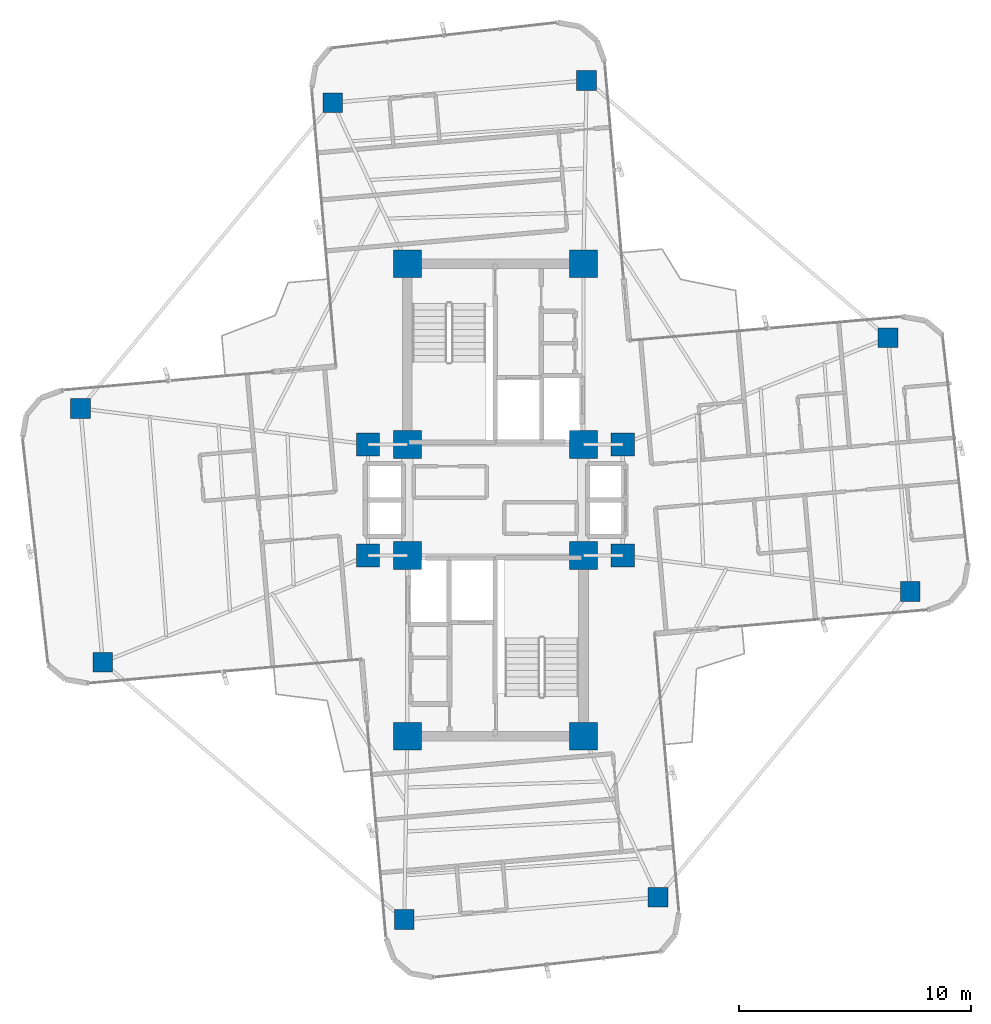
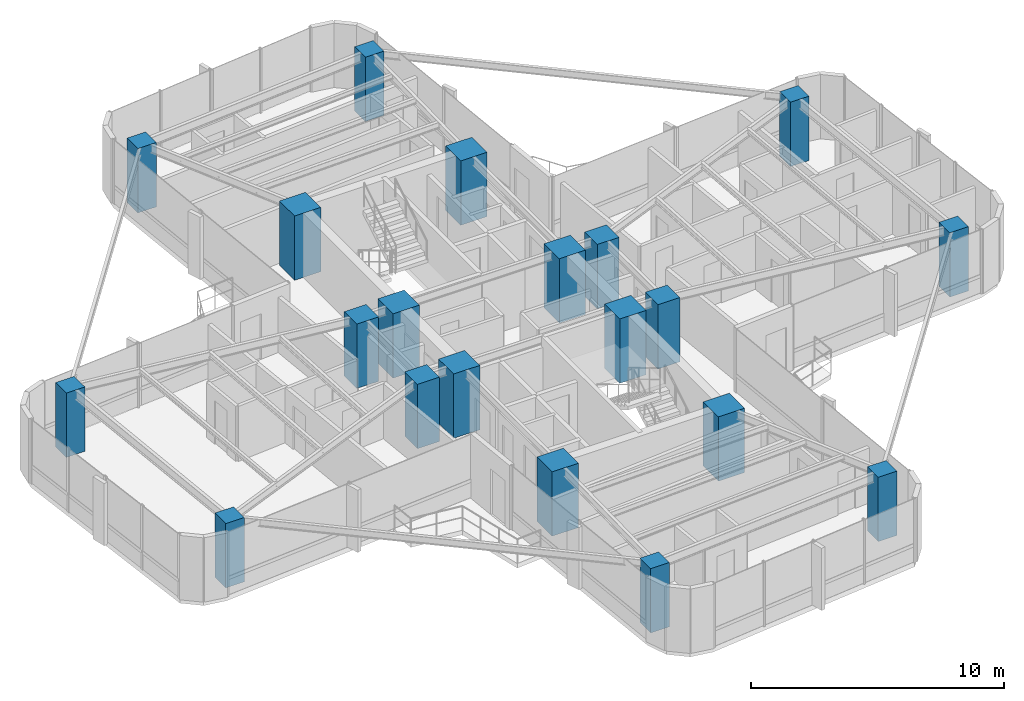
# One storey, part 1 of 24: 20 columns.
"""IFC4 building model written with IfcOpenShell, lengths in metres."""

from ifc_helpers import new_model, si_unit, direction, frame, origin, origin_2d, place, context, subcontext, project, spatial, rectangle, extrude, source, transform, mapped, material, material_profile, profile_set, type_object, element, save


model = new_model("IFC4")

# Units and contexts
model_context = context("Model", 3, precision=1e-05, world=origin(), true_north=direction((0.0, 1.0)))
body_context = subcontext(model_context, "Body", "Model", "MODEL_VIEW")
ifc_project = project(units=[si_unit("LENGTHUNIT", "METRE"), si_unit("AREAUNIT", "SQUARE_METRE"), si_unit("VOLUMEUNIT", "CUBIC_METRE"), si_unit("PLANEANGLEUNIT", "RADIAN"), si_unit("MASSUNIT", "GRAM", prefix="KILO")], contexts=[model_context])

# Site, building, storey
site_placement = place(None, origin())
site = spatial("IfcSite", under=ifc_project, at=site_placement, CompositionType="ELEMENT")
building_placement = place(site_placement, origin())
building = spatial("IfcBuilding", under=site, at=building_placement, Name="Sahyath Konkavel Grand Hotel", CompositionType="ELEMENT")
storey_placement = place(building_placement, frame((0.0, 0.0, 191.949951171875)))
storey = spatial("IfcBuildingStorey", under=building, at=storey_placement, Name="L53", CompositionType="ELEMENT", Elevation=191.949951171875)

# Columns
ifc_material_1 = material(Name="Concrete C50/60", Category="concrete")
ifc_material_profile_1 = material_profile(ifc_material_1, rectangle(XDim=1.199951171875, YDim=1.199951171875, at=origin_2d()), Name="RC 1200x1200")
ifc_profile_set_1 = profile_set([ifc_material_profile_1], Name="Concrete C50/60")
column_type_1 = type_object("IfcColumnType", Name="COL-RC1200", PredefinedType="COLUMN", material=ifc_profile_set_1)
shared_shape_1 = source(origin(), body_context, "Body", "SweptSolid", [
    extrude(rectangle(XDim=1.199951171875, YDim=1.199951171875, at=origin_2d()), origin(), (0.0, 0.0, 1.0), 3.110107421875),
])
for number, where, z_axis, x_axis, name in (
    (1, (-3.800048828125, 2.39990234375, 0.0), (0.0, 0.0, 1.0), (1.0, 0.0, 0.0), "L53 Core Boundary Column NC-SW"),
    (2, (3.800048828125, 2.39990234375, 0.0), (0.0, 0.0, 1.0), (1.0, 0.0, 0.0), "L53 Core Boundary Column NC-SE"),
    (3, (-3.800048828125, 10.199951171875, 0.0), (0.0, 0.0, 1.0), (1.0, 0.0, 0.0), "L53 Core Boundary Column NC-NW"),
    (4, (3.800048828125, 10.199951171875, 0.0), (0.0, 0.0, 1.0), (1.0, 0.0, 0.0), "L53 Core Boundary Column NC-NE"),
    (5, (-3.800048828125, -2.39990234375, 0.0), (0.0, 0.0, 1.0), (1.0, 0.0, 0.0), "L53 Core Boundary Column SC-NW"),
    (6, (3.800048828125, -2.39990234375, 0.0), (0.0, 0.0, 1.0), (1.0, 0.0, 0.0), "L53 Core Boundary Column SC-NE"),
    (7, (-3.800048828125, -10.199951171875, 0.0), (0.0, 0.0, 1.0), (1.0, 0.0, 0.0), "L53 Core Boundary Column SC-SW"),
    (8, (3.800048828125, -10.199951171875, 0.0), (0.0, 0.0, 1.0), (1.0, 0.0, 0.0), "L53 Core Boundary Column SC-SE"),
):
    element("IfcColumn", number, at=place(storey_placement, frame(where, z_axis=z_axis, x_axis=x_axis)), inside=storey, type_object=column_type_1, Name=name, PredefinedType="COLUMN", context=body_context, shape_type="MappedRepresentation", body=[
        mapped(shared_shape_1, transform((0.0, 0.0, 0.0), scale=1.0)),
    ])
ifc_material_profile_2 = material_profile(ifc_material_1, rectangle(XDim=1.0, YDim=1.0, at=origin_2d()), Name="RC 1000x1000")
ifc_profile_set_2 = profile_set([ifc_material_profile_2], Name="Concrete C50/60")
column_type_2 = type_object("IfcColumnType", Name="COL-RC1000", PredefinedType="COLUMN", material=ifc_profile_set_2)
shared_shape_2 = source(origin(), body_context, "Body", "SweptSolid", [
    extrude(rectangle(XDim=1.0, YDim=1.0, at=origin_2d()), origin(), (0.0, 0.0, 1.0), 3.110107421875),
])
for number, where, z_axis, x_axis, name in (
    (9, (5.5, 2.39990234375, 0.0), (0.0, 0.0, 1.0), (1.0, 0.0, 0.0), "L53 Central Spine Column HB-NE"),
    (10, (-5.5, 2.39990234375, 0.0), (0.0, 0.0, 1.0), (1.0, 0.0, 0.0), "L53 Central Spine Column HB-NW"),
    (11, (5.5, -2.39990234375, 0.0), (0.0, 0.0, 1.0), (1.0, 0.0, 0.0), "L53 Central Spine Column HB-SE"),
    (12, (-5.5, -2.39990234375, 0.0), (0.0, 0.0, 1.0), (1.0, 0.0, 0.0), "L53 Central Spine Column HB-SW"),
):
    element("IfcColumn", number, at=place(storey_placement, frame(where, z_axis=z_axis, x_axis=x_axis)), inside=storey, type_object=column_type_2, Name=name, PredefinedType="COLUMN", context=body_context, shape_type="MappedRepresentation", body=[
        mapped(shared_shape_2, transform((0.0, 0.0, 0.0), scale=1.0)),
    ])
ifc_material_2 = material(Name="Concrete C40/50", Category="concrete")
ifc_material_profile_3 = material_profile(ifc_material_2, rectangle(XDim=0.85009765625, YDim=0.85009765625, at=origin_2d()), Name="RC 850x850")
ifc_profile_set_3 = profile_set([ifc_material_profile_3], Name="Concrete C40/50")
column_type_3 = type_object("IfcColumnType", Name="COL-RC850", PredefinedType="COLUMN", material=ifc_profile_set_3)
shared_shape_3 = source(origin(), body_context, "Body", "SweptSolid", [
    extrude(rectangle(XDim=0.85009765625, YDim=0.85009765625, at=origin_2d()), origin(), (0.0, 0.0, 1.0), 3.110107421875),
])
for number, where, z_axis, x_axis, name in (
    (13, (17.912841796875, -3.953857421875, 0.0), (0.0, 0.0, 1.0), (1.0, 0.0, 0.0), "L53 Cruciform Wing Column WC-EA"),
    (14, (16.9541015625, 7.00439453125, 0.0), (0.0, 0.0, 1.0), (1.0, 0.0, 0.0), "L53 Cruciform Wing Column WC-EB"),
    (15, (3.936279296875, 18.112060546875, 0.0), (0.0, 0.0, 1.0), (1.0, 0.0, 0.0), "L53 Cruciform Wing Column WC-NA"),
    (16, (-7.021728515625, 17.1533203125, 0.0), (0.0, 0.0, 1.0), (1.0, 0.0, 0.0), "L53 Cruciform Wing Column WC-NB"),
    (17, (-17.912841796875, 3.953857421875, 0.0), (0.0, 0.0, 1.0), (1.0, 0.0, 0.0), "L53 Cruciform Wing Column WC-WA"),
    (18, (-16.9541015625, -7.00439453125, 0.0), (0.0, 0.0, 1.0), (1.0, 0.0, 0.0), "L53 Cruciform Wing Column WC-WB"),
    (19, (-3.936279296875, -18.112060546875, 0.0), (0.0, 0.0, 1.0), (1.0, 0.0, 0.0), "L53 Cruciform Wing Column WC-SA"),
    (20, (7.021728515625, -17.1533203125, 0.0), (0.0, 0.0, 1.0), (1.0, 0.0, 0.0), "L53 Cruciform Wing Column WC-SB"),
):
    element("IfcColumn", number, at=place(storey_placement, frame(where, z_axis=z_axis, x_axis=x_axis)), inside=storey, type_object=column_type_3, Name=name, PredefinedType="COLUMN", context=body_context, shape_type="MappedRepresentation", body=[
        mapped(shared_shape_3, transform((0.0, 0.0, 0.0), scale=1.0)),
    ])

save(model, "model.ifc")
